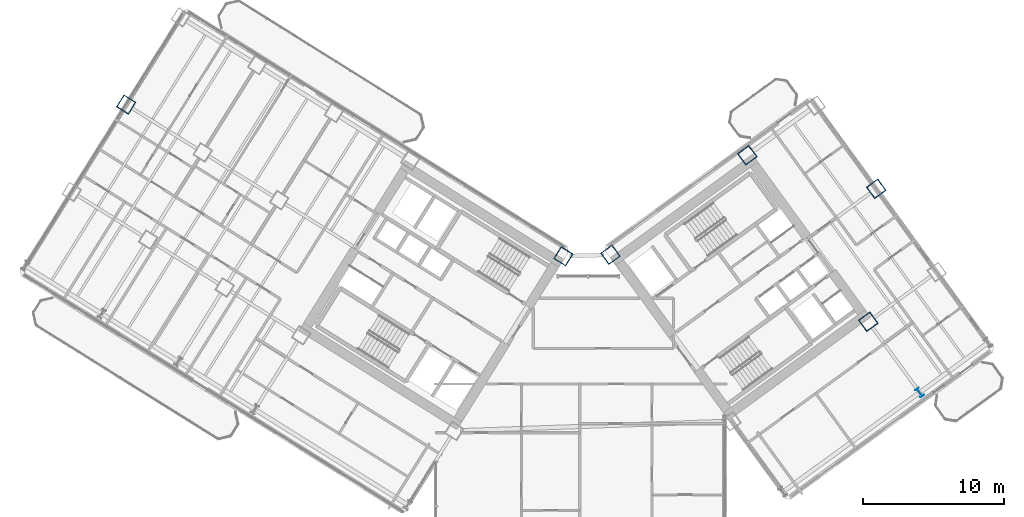
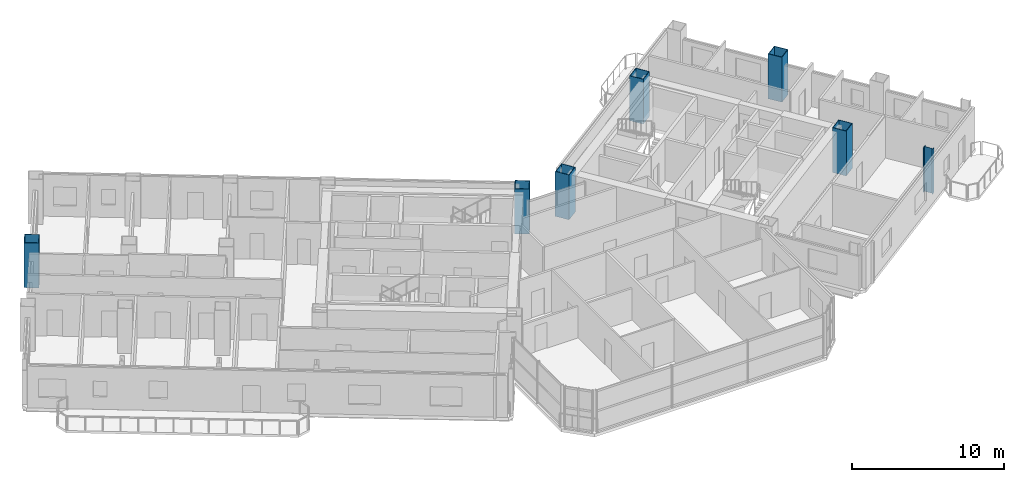
# One storey, part 2 of 28: 7 columns.
"""IFC4 building model written with IfcOpenShell, lengths in metres."""

from ifc_helpers import new_model, si_unit, direction, frame, origin, origin_2d, place, context, subcontext, project, spatial, hollow_rectangle, i_section, extrude, source, transform, mapped, material, material_profile, profile_set, type_object, element, save


model = new_model("IFC4")

# Units and contexts
model_context = context("Model", 3, precision=1e-05, world=origin(), true_north=direction((0.0, 1.0)))
body_context = subcontext(model_context, "Body", "Model", "MODEL_VIEW")
ifc_project = project(units=[si_unit("LENGTHUNIT", "METRE"), si_unit("AREAUNIT", "SQUARE_METRE"), si_unit("VOLUMEUNIT", "CUBIC_METRE"), si_unit("PLANEANGLEUNIT", "RADIAN"), si_unit("MASSUNIT", "GRAM", prefix="KILO")], contexts=[model_context])

# Site, building, storey
site_placement = place(None, origin())
site = spatial("IfcSite", under=ifc_project, at=site_placement, CompositionType="ELEMENT")
building_placement = place(site_placement, origin())
building = spatial("IfcBuilding", under=site, at=building_placement, Name="Tlacorven Tower", CompositionType="ELEMENT")
storey_placement = place(building_placement, frame((0.0, 0.0, 56.39990234375)))
storey = spatial("IfcBuildingStorey", under=building, at=storey_placement, Name="L14", CompositionType="ELEMENT", Elevation=56.39990234375)

# Columns
ifc_material = material(Name="Steel S460M", Category="steel")
ifc_material_profile_1 = material_profile(ifc_material, hollow_rectangle(XDim=1.0, YDim=1.0, WallThickness=0.0400390625, at=origin_2d()), Name="BOX 1000X1000X40")
ifc_profile_set_1 = profile_set([ifc_material_profile_1], Name="Steel S460M")
column_type_1 = type_object("IfcColumnType", Name="COL-TWR-S1", PredefinedType="COLUMN", material=ifc_profile_set_1)
shared_shape_1 = source(origin(), body_context, "Body", "SweptSolid", [
    extrude(hollow_rectangle(XDim=1.0, YDim=1.0, WallThickness=0.0400390625, at=origin_2d()), origin(), (0.0, 0.0, 1.0), 3.60009765625),
])
for number, where, z_axis, x_axis, name in (
    (1, (40.782958984375, 24.468505859375, 0.0), (0.0, 0.0, 1.0), (-0.848048096156, 0.529919264233, 0.0), "L14 column COL-L14-W1-1"),
    (2, (9.777099609375, 35.235107421875, 0.0), (0.0, 0.0, 1.0), (-0.848048096156, 0.529919264233, 0.0), "L14 column COL-L14-W6-2"),
    (3, (44.123779296875, 24.5849609375, 0.0), (0.0, 0.0, 1.0), (0.809016994375, 0.587785252292, 0.0), "L14 column COL-L14-E1-4"),
    (4, (62.41357421875, 19.826904296875, 0.0), (0.0, 0.0, 1.0), (0.809016994375, 0.587785252292, 0.0), "L14 column COL-L14-E3-2"),
    (5, (53.83203125, 31.638427734375, 0.0), (0.0, 0.0, 1.0), (0.809016994375, 0.587785252292, 0.0), "L14 column COL-L14-E3-4"),
    (6, (62.976806640625, 29.25927734375, 0.0), (0.0, 0.0, 1.0), (0.809016994375, 0.587785252292, 0.0), "L14 column COL-L14-E4-3"),
):
    element("IfcColumn", number, at=place(storey_placement, frame(where, z_axis=z_axis, x_axis=x_axis)), inside=storey, type_object=column_type_1, Name=name, PredefinedType="COLUMN", context=body_context, shape_type="MappedRepresentation", body=[
        mapped(shared_shape_1, transform((0.0, 0.0, 0.0), scale=1.0)),
    ])
ifc_material_profile_2 = material_profile(ifc_material, i_section(OverallWidth=0.300048828125, OverallDepth=0.64990234375, WebThickness=0.01611328125, FlangeThickness=0.031005859375, at=origin_2d()), Name="HEB 650")
ifc_profile_set_2 = profile_set([ifc_material_profile_2], Name="Steel S460M")
column_type_2 = type_object("IfcColumnType", Name="COL-TWR-P1", PredefinedType="COLUMN", material=ifc_profile_set_2)
shared_shape_2 = source(origin(), body_context, "Body", "SweptSolid", [
    extrude(i_section(OverallWidth=0.300048828125, OverallDepth=0.64990234375, WebThickness=0.01611328125, FlangeThickness=0.031005859375, at=origin_2d()), origin(), (0.0, 0.0, 1.0), 3.60009765625),
])
column_placement = place(storey_placement, frame((66.057861328125, 14.81103515625, 0.0), z_axis=(0.0, 0.0, 1.0), x_axis=(0.809016994375, 0.587785252292, 0.0)))
element("IfcColumn", 7, at=column_placement, inside=storey, type_object=column_type_2, Name="L14 column COL-L14-E3-1", PredefinedType="COLUMN", context=body_context, shape_type="MappedRepresentation", body=[
    mapped(shared_shape_2, transform((0.0, 0.0, 0.0), scale=1.0)),
])

save(model, "model.ifc")
